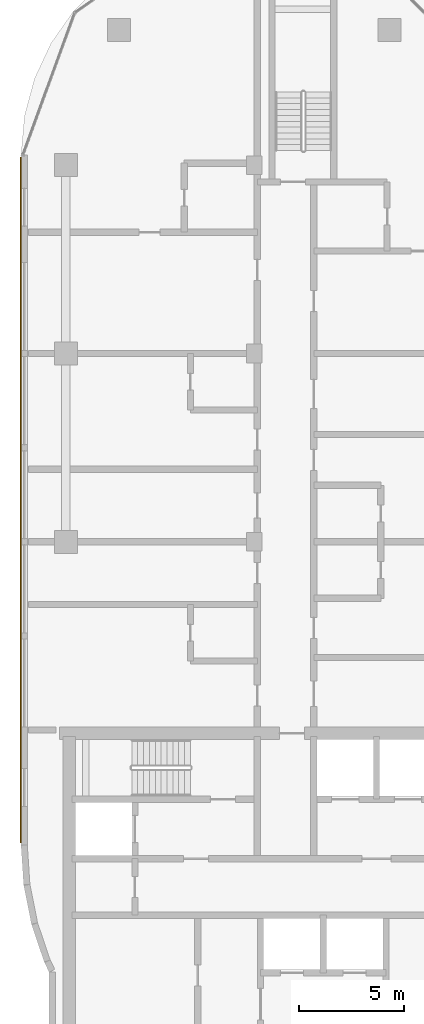
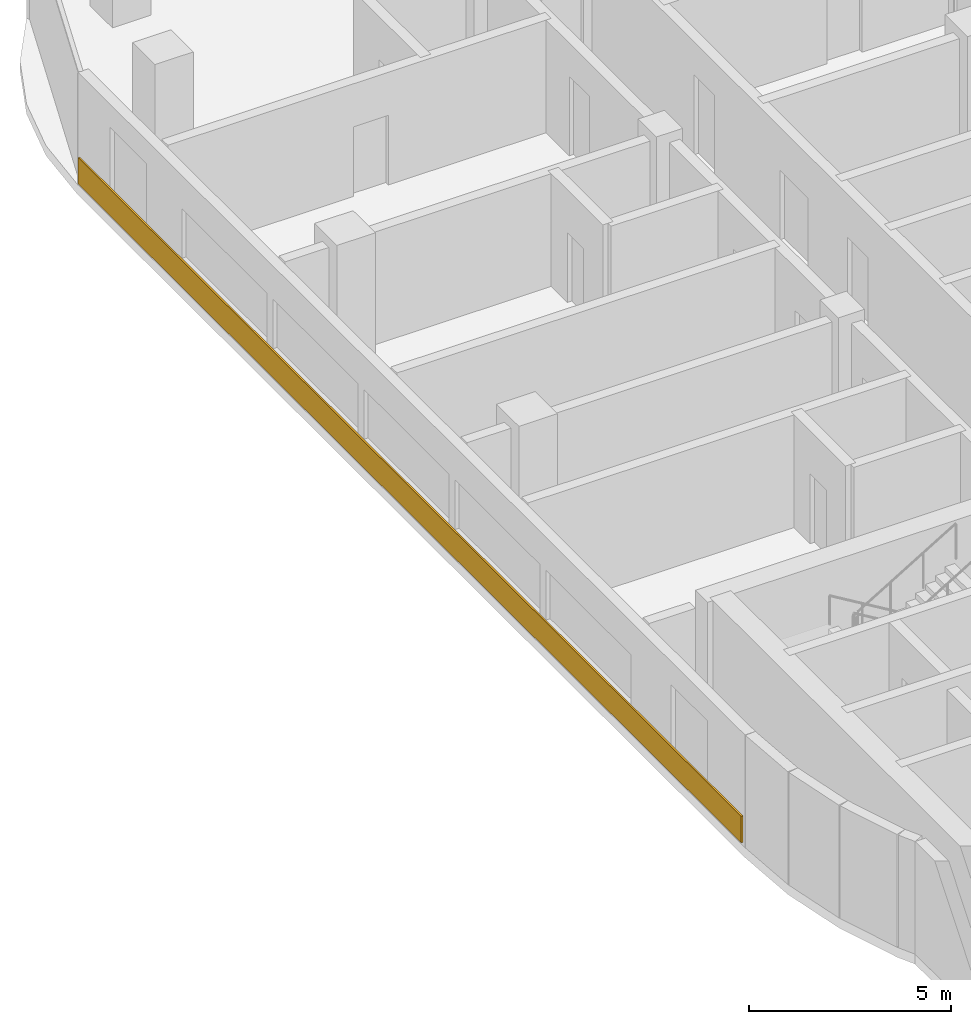
# One storey, part 19 of 23: 1 covering.
"""IFC4 building model written with IfcOpenShell, lengths in metres."""

from ifc_helpers import new_model, si_unit, direction, frame, origin, origin_2d, place, context, subcontext, project, spatial, rectangle, extrude, material, layer, layer_set, type_object, element, save


model = new_model("IFC4")

# Units and contexts
model_context = context("Model", 3, precision=1e-05, world=origin(), true_north=direction((0.0, 1.0)))
body_context = subcontext(model_context, "Body", "Model", "MODEL_VIEW")
ifc_project = project(units=[si_unit("LENGTHUNIT", "METRE"), si_unit("AREAUNIT", "SQUARE_METRE"), si_unit("VOLUMEUNIT", "CUBIC_METRE"), si_unit("PLANEANGLEUNIT", "RADIAN"), si_unit("MASSUNIT", "GRAM", prefix="KILO")], contexts=[model_context])

# Site, building, storey
site_placement = place(None, origin())
site = spatial("IfcSite", under=ifc_project, at=site_placement, CompositionType="ELEMENT")
building_placement = place(site_placement, origin())
building = spatial("IfcBuilding", under=site, at=building_placement, Name="Ogive Portal Towers", CompositionType="ELEMENT")
storey_placement = place(building_placement, frame((0.0, 0.0, 175.5)))
storey = spatial("IfcBuildingStorey", under=building, at=storey_placement, Name="L43", CompositionType="ELEMENT", Elevation=175.5)

# Covering
ifc_material = material(Name="Limestone cladding on lightweight block wall", Category="masonry")
ifc_layer = layer(ifc_material, 0.050048828125)
ifc_layer_set = layer_set([ifc_layer], Name="SCREEN PERFORATED STONE")
covering_type = type_object("IfcCoveringType", Name="SCREEN PERFORATED STONE", PredefinedType="CLADDING", material=ifc_layer_set)
covering_placement = place(storey_placement, frame((29.330078125, 50.497802734375, 0.10009765625), z_axis=(0.0, 0.0, 1.0), x_axis=(0.0, -1.0, 0.0)))
element("IfcCovering", 1, at=covering_placement, inside=storey, type_object=covering_type, Name="Tracery screen", PredefinedType="CLADDING", context=body_context, shape_type="SweptSolid", body=[
    extrude(rectangle(XDim=32.776123046875, YDim=0.050048828125, at=origin_2d()), origin(), (0.0, 0.0, 1.0), 0.800048828125),
])

save(model, "model.ifc")
